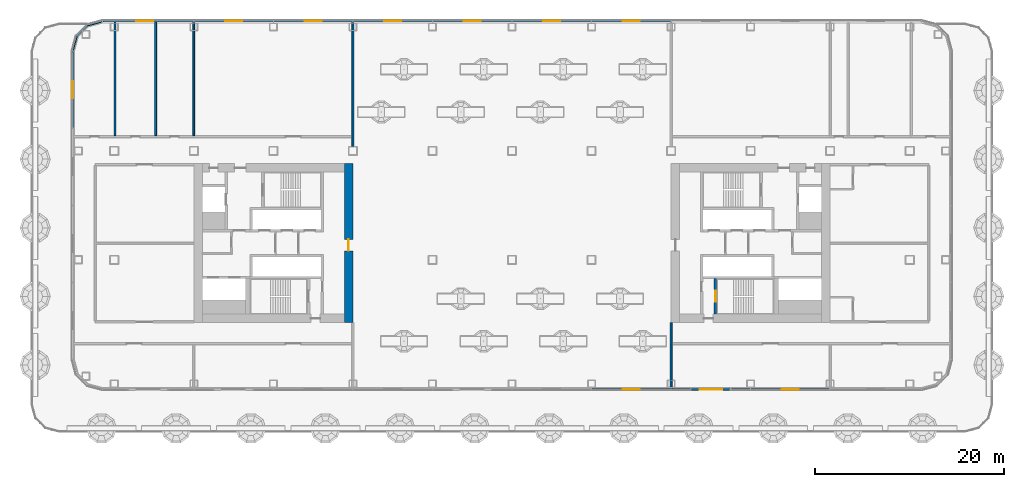
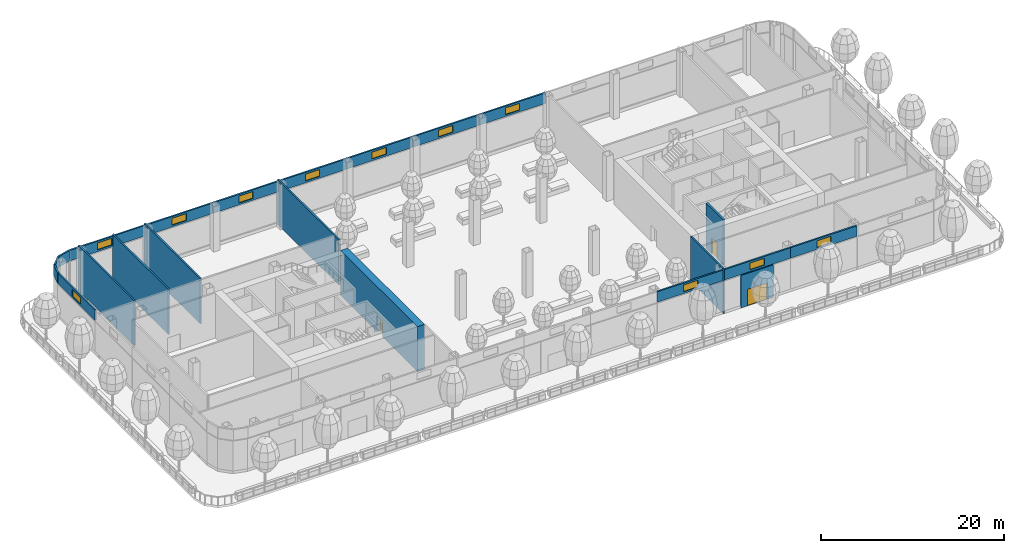
# One storey, part 14 of 44: 22 walls, 11 windows, 3 doors, 14 openings, 4 elements without a shape of their own.
"""IFC4 building model written with IfcOpenShell, lengths in metres."""

import ifcopenshell
import ifcopenshell.guid

model = None  # the IFC model being written
_history = None  # IfcOwnerHistory: only IFC2X3 demands one
_inside = {}  # id of a spatial element -> (the spatial element, [elements in it])
_under = {}  # id of a project, library or spatial element -> (it, [spatial elements below it])
_declared = {}  # id of a project -> (the project, [libraries it declares])
_typed = {}  # id of a type object -> (the type object, [elements of that type])
_made_of = {}  # id of a material, layer set ... -> (it, [elements and type objects made of it])


def new_model(schema):
    """Start an empty IFC model of exactly this schema.

    Asked for "IFC4X3", IfcOpenShell would pick the latest addendum, in which some entities
    have other attributes; the version numbers below select the first issue.
    IFC2X3 requires an IfcOwnerHistory on every rooted entity: one is made here for all.
    """
    global model, _history
    if schema == "IFC4X3":
        model = ifcopenshell.file(schema_version=(4, 3, 0, 0))
    else:
        model = ifcopenshell.file(schema=schema)
    _inside.clear()
    _under.clear()
    _declared.clear()
    _typed.clear()
    _made_of.clear()
    _history = None
    if model.schema == "IFC2X3":
        org = make("IfcOrganization", Name="unknown")
        user = make(
            "IfcPersonAndOrganization",
            ThePerson=make("IfcPerson", FamilyName="unknown"),
            TheOrganization=org,
        )
        app = make(
            "IfcApplication",
            ApplicationDeveloper=org,
            Version="unknown",
            ApplicationFullName="unknown",
            ApplicationIdentifier="unknown",
        )
        _history = make(
            "IfcOwnerHistory",
            OwningUser=user,
            OwningApplication=app,
            ChangeAction="ADDED",
            CreationDate=0,
        )
    return model


def make(cls, **values):
    """One entity of the class cls with the attributes given. An attribute that is None is left unset."""
    return model.create_entity(
        cls, **{name: value for name, value in values.items() if value is not None}
    )


def rooted(cls, **values):
    """An entity with a GlobalId (a new one), such as an element, a storey or a relation."""
    return make(cls, GlobalId=ifcopenshell.guid.new(), OwnerHistory=_history, **values)


def si_unit(unit_type, name, prefix=None):
    """IfcSIUnit, for example si_unit("LENGTHUNIT", "METRE", prefix="MILLI")."""
    return make("IfcSIUnit", UnitType=unit_type, Prefix=prefix, Name=name)


def assignment(units):
    """IfcUnitAssignment: the units of a project."""
    return None if units is None else make("IfcUnitAssignment", Units=units)


def point(xyz):
    """IfcCartesianPoint."""
    return None if xyz is None else make("IfcCartesianPoint", Coordinates=xyz)


def direction(xyz):
    """IfcDirection."""
    return None if xyz is None else make("IfcDirection", DirectionRatios=xyz)


def frame(location, z_axis=None, x_axis=None):
    """IfcAxis2Placement3D, a coordinate frame: its origin and axes. An axis left out is left unset."""
    return make(
        "IfcAxis2Placement3D",
        Location=point(location),
        Axis=direction(z_axis),
        RefDirection=direction(x_axis),
    )


def frame_2d(location, x_axis=None):
    """IfcAxis2Placement2D, a coordinate frame in the plane: its origin and x axis."""
    return make(
        "IfcAxis2Placement2D", Location=point(location), RefDirection=direction(x_axis)
    )


def origin():
    """The frame at (0, 0, 0) with its axes left unset."""
    return frame((0.0, 0.0, 0.0))


def place(relative_to, where):
    """IfcLocalPlacement: puts the frame where relative to a parent placement (None: the world)."""
    return make(
        "IfcLocalPlacement", PlacementRelTo=relative_to, RelativePlacement=where
    )


def context(
    kind, dimensions, precision=None, world=None, true_north=None, identifier=None
):
    """IfcGeometricRepresentationContext, for example the 3D "Model" context."""
    return make(
        "IfcGeometricRepresentationContext",
        ContextIdentifier=identifier,
        ContextType=kind,
        CoordinateSpaceDimension=dimensions,
        Precision=precision,
        WorldCoordinateSystem=world,
        TrueNorth=true_north,
    )


def subcontext(parent, identifier, kind, view, scale=None):
    """IfcGeometricRepresentationSubContext, for example "Body" below "Model"."""
    return make(
        "IfcGeometricRepresentationSubContext",
        ContextIdentifier=identifier,
        ContextType=kind,
        ParentContext=parent,
        TargetScale=scale,
        TargetView=view,
    )


def project(units=None, contexts=None):
    """IfcProject with its units and contexts."""
    return rooted(
        "IfcProject",
        Name="project",
        RepresentationContexts=contexts,
        UnitsInContext=assignment(units),
    )


def spatial(cls, under=None, at=None, **own):
    """A site, building, storey or space (cls), placed at a placement, below another one or the project."""
    s = rooted(cls, ObjectPlacement=at, **own)
    if under is not None:
        _under.setdefault(under.id(), (under, []))[1].append(s)
    return s


def profile(cls, at=None, kind="AREA", **sizes):
    """A parametric profile (cls). Its sizes go by their IFC names, for example OverallWidth=200.0."""
    return make(cls, ProfileType=kind, Position=at, **sizes)


def rectangle(**sizes):
    """IfcRectangleProfileDef."""
    return profile("IfcRectangleProfileDef", **sizes)


def extrude(swept, where, along, depth):
    """IfcExtrudedAreaSolid: the profile swept, set in the frame where, extruded along a direction by depth."""
    return make(
        "IfcExtrudedAreaSolid",
        SweptArea=swept,
        Position=where,
        ExtrudedDirection=direction(along),
        Depth=depth,
    )


def shape(context_of_items, identifier, shape_type, items):
    """IfcShapeRepresentation: the items that make up one representation, for example the "Body"."""
    return make(
        "IfcShapeRepresentation",
        ContextOfItems=context_of_items,
        RepresentationIdentifier=identifier,
        RepresentationType=shape_type,
        Items=items,
    )


def material(Name=None, Category=None):
    """IfcMaterial."""
    return make("IfcMaterial", Name=Name, Category=Category)


def layer(
    of_material, thickness, ventilated=None, Name=None, Category=None, Priority=None
):
    """IfcMaterialLayer: one layer of a wall or slab, of a material (None: an air gap)."""
    return make(
        "IfcMaterialLayer",
        Material=of_material,
        LayerThickness=thickness,
        IsVentilated=ventilated,
        Name=Name,
        Category=Category,
        Priority=Priority,
    )


def layer_set(layers, Name=None):
    """IfcMaterialLayerSet."""
    return make("IfcMaterialLayerSet", MaterialLayers=layers, LayerSetName=Name)


def made_of(thing, what):
    """Note that an element or type object is made of a material, layer set ...; save() writes the relation."""
    if what is not None:
        _made_of.setdefault(what.id(), (what, []))[1].append(thing)
    return thing


def type_object(cls, material=None, **own):
    """A type object (cls), such as IfcWallType, which elements share."""
    return made_of(rooted(cls, **own), material)


def element(
    cls,
    number,
    at=None,
    inside=None,
    cuts=None,
    type_object=None,
    material=None,
    context=None,
    identifier="Body",
    shape_type=None,
    held_by="IfcProductDefinitionShape",
    body=None,
    shapes=None,
    **own,
):
    """One element of the class cls, such as IfcWall. Its Tag is "e" and its number.

    at: its placement. inside: the storey or other place that contains it. cuts: it is an
    opening in that element (IfcRelVoidsElement). A single representation is given by context,
    identifier, shape_type and body (its items); several are given by shapes. held_by: the class
    of the entity that holds the representations. save() writes the other relations.
    """
    e = rooted(cls, Tag="e%d" % number, ObjectPlacement=at, **own)
    if body is not None:
        shapes = [shape(context, identifier, shape_type, body)]
    if shapes is not None:
        e.Representation = make(held_by, Representations=shapes)
    if inside is not None:
        _inside.setdefault(inside.id(), (inside, []))[1].append(e)
    if cuts is not None:
        rooted(
            "IfcRelVoidsElement", RelatingBuildingElement=cuts, RelatedOpeningElement=e
        )
    if type_object is not None:
        _typed.setdefault(type_object.id(), (type_object, []))[1].append(e)
    return made_of(e, material)


def fill(opening, filler):
    """IfcRelFillsElement: the door or window that sits in an opening."""
    return rooted(
        "IfcRelFillsElement",
        RelatingOpeningElement=opening,
        RelatedBuildingElement=filler,
    )


def aggregate(whole, parts):
    """IfcRelAggregates: a whole, such as a stair, and the parts it consists of."""
    return rooted("IfcRelAggregates", RelatingObject=whole, RelatedObjects=parts)


def save(model, path):
    """Write the relations noted so far, then the file.

    IfcRelAggregates (storeys below a building ...), IfcRelContainedInSpatialStructure (elements
    in a storey), IfcRelDefinesByType, IfcRelAssociatesMaterial and IfcRelDeclares: one each for
    every whole, place, type object, material and project.
    """
    for whole, parts in _under.values():
        aggregate(whole, parts)
    for where, things in _inside.values():
        rooted(
            "IfcRelContainedInSpatialStructure",
            RelatedElements=things,
            RelatingStructure=where,
        )
    for kind, things in _typed.values():
        rooted("IfcRelDefinesByType", RelatedObjects=things, RelatingType=kind)
    for what, things in _made_of.values():
        rooted("IfcRelAssociatesMaterial", RelatedObjects=things, RelatingMaterial=what)
    for by, libraries in _declared.values():
        rooted("IfcRelDeclares", RelatingContext=by, RelatedDefinitions=libraries)
    model.write(path)


model = new_model("IFC4")

# Units and contexts
model_context = context("Model", 3, precision=1e-05, world=origin(), true_north=direction((0.0, 1.0)))
body_context = subcontext(model_context, "Body", "Model", "MODEL_VIEW")
ifc_project = project(units=[si_unit("LENGTHUNIT", "METRE"), si_unit("AREAUNIT", "SQUARE_METRE"), si_unit("VOLUMEUNIT", "CUBIC_METRE"), si_unit("PLANEANGLEUNIT", "RADIAN"), si_unit("MASSUNIT", "GRAM", prefix="KILO")], contexts=[model_context])

# Site, building, storey
site_placement = place(None, origin())
site = spatial("IfcSite", under=ifc_project, at=site_placement, CompositionType="ELEMENT")
building_placement = place(site_placement, origin())
building = spatial("IfcBuilding", under=site, at=building_placement, Name="Hakoniwa Tower and Hamabe Station Hall", CompositionType="ELEMENT")
storey_placement = place(building_placement, frame((0.0, 0.0, 69.0)))
storey = spatial("IfcBuildingStorey", under=building, at=storey_placement, Name="L19", CompositionType="ELEMENT", Elevation=69.0)

# Wall, opening, door
ifc_material_1 = material(Name="Concrete C72", Category="concrete")
ifc_layer_1 = layer(ifc_material_1, 0.89990234375)
ifc_layer_set_1 = layer_set([ifc_layer_1], Name="CORE WALL 900 C72")
wall_type_1 = type_object("IfcWallType", Name="CORE WALL 900 C72", PredefinedType="SHEAR", material=ifc_layer_set_1)
wall_1_placement = place(storey_placement, frame((-17.25, -8.39990234375, 0.0), z_axis=(0.0, 0.0, 1.0), x_axis=(0.0, 1.0, 0.0)))
wall_1 = element("IfcWall", 1, at=wall_1_placement, inside=storey, type_object=wall_type_1, Name="Core wall INNER west", PredefinedType="SHEAR", context=body_context, shape_type="SweptSolid", body=[
    extrude(rectangle(XDim=16.7998046875, YDim=0.89990234375, at=frame_2d((8.39990234375, 0.0))), origin(), (0.0, 0.0, 1.0), 6.0),
])
opening_1_placement = place(wall_1_placement, frame((7.60009765625, 0.0, 0.0)))
opening_1 = element("IfcOpeningElement", 2, at=opening_1_placement, cuts=wall_1, Name="Opening CD-W-IN1-12", PredefinedType="OPENING", context=body_context, shape_type="SweptSolid", body=[
    extrude(rectangle(XDim=1.199951171875, YDim=2.10009765625, at=frame_2d((0.60009765625, 1.050048828125))), frame((0.0, 0.4599609375, 0.0), z_axis=(0.0, -1.0, 0.0), x_axis=(1.0, 0.0, 0.0)), (0.0, 0.0, 1.0), 0.919921875),
])
ifc_material_2 = material(Name="Steel fire door", Category="steel")
door_type_1 = type_object("IfcDoorType", Name="CORE DOOR 1200 FD60", OperationType="DOUBLE_DOOR_SINGLE_SWING", PredefinedType="DOOR", material=ifc_material_2)
door_1_placement = place(opening_1_placement, origin())
door_1 = element("IfcDoor", 3, at=door_1_placement, inside=storey, type_object=door_type_1, Name="Lift lobby door", OperationType="DOUBLE_DOOR_SINGLE_SWING", OverallHeight=2.10009765625, OverallWidth=1.199951171875, PredefinedType="DOOR", context=body_context, shape_type="SweptSolid", body=[
    extrude(rectangle(XDim=1.199951171875, YDim=2.10009765625, at=frame_2d((0.60009765625, 1.050048828125))), frame((0.0, 0.02490234375, 0.0), z_axis=(0.0, -1.0, 0.0), x_axis=(1.0, 0.0, 0.0)), (0.0, 0.0, 1.0), 0.050048828125),
])
fill(opening_1, door_1)

ifc_material_3 = material(Name="Concrete C72", Category="concrete")
ifc_layer_2 = layer(ifc_material_3, 0.25)
ifc_layer_set_2 = layer_set([ifc_layer_2], Name="CORE WEB WALL 250 C72")
wall_type_2 = type_object("IfcWallType", Name="CORE WEB WALL 250 C72", PredefinedType="SHEAR", material=ifc_layer_set_2)
wall_2_placement = place(storey_placement, frame((21.47509765625, -7.5, 0.0), z_axis=(0.0, 0.0, 1.0), x_axis=(0.0, 1.0, 0.0)))
wall_2 = element("IfcWall", 4, at=wall_2_placement, inside=storey, type_object=wall_type_2, Name="Core wall VE east", PredefinedType="SHEAR", context=body_context, shape_type="SweptSolid", body=[
    extrude(rectangle(XDim=3.75, YDim=0.25, at=frame_2d((1.875, 0.0))), origin(), (0.0, 0.0, 1.0), 6.0),
])
opening_2_placement = place(wall_2_placement, frame((1.300048828125, 0.0, 0.0)))
opening_2 = element("IfcOpeningElement", 5, at=opening_2_placement, cuts=wall_2, Name="Opening CD-E-SS-12", PredefinedType="OPENING", context=body_context, shape_type="SweptSolid", body=[
    extrude(rectangle(XDim=1.199951171875, YDim=2.10009765625, at=frame_2d((0.60009765625, 1.050048828125))), frame((0.0, 0.135009765625, 0.0), z_axis=(0.0, -1.0, 0.0), x_axis=(1.0, 0.0, 0.0)), (0.0, 0.0, 1.0), 0.27001953125),
])
door_2_placement = place(opening_2_placement, origin())
door_2 = element("IfcDoor", 6, at=door_2_placement, inside=storey, type_object=door_type_1, Name="Escape stair door", OperationType="DOUBLE_DOOR_SINGLE_SWING", OverallHeight=2.10009765625, OverallWidth=1.199951171875, PredefinedType="DOOR", context=body_context, shape_type="SweptSolid", body=[
    extrude(rectangle(XDim=1.199951171875, YDim=2.10009765625, at=frame_2d((0.60009765625, 1.050048828125))), frame((0.0, 0.02490234375, 0.0), z_axis=(0.0, -1.0, 0.0), x_axis=(1.0, 0.0, 0.0)), (0.0, 0.0, 1.0), 0.050048828125),
])
fill(opening_2, door_2)

# Curtain wall, wall, opening, door
ifc_material_4 = material(Name="Dark low-e laminated glass", Category="glass")
ifc_layer_3 = layer(ifc_material_4, 0.199951171875)
ifc_layer_set_3 = layer_set([ifc_layer_3], Name="CW-2 SKY GARDEN")
curtain_wall_type = type_object("IfcCurtainWallType", Name="CW-2 SKY GARDEN", PredefinedType="NOTDEFINED", material=ifc_layer_set_3)
curtain_wall_1_placement = place(storey_placement, origin())
curtain_wall_1 = element("IfcCurtainWall", 7, at=curtain_wall_1_placement, inside=storey, type_object=curtain_wall_type, Name="CW-2 curtain wall", PredefinedType="NOTDEFINED")
ifc_material_5 = material(Name="Dark glass-faced aluminium panel", Category="aluminium")
ifc_layer_4 = layer(ifc_material_5, 0.199951171875)
ifc_layer_set_4 = layer_set([ifc_layer_4], Name="DOOR BAY WALL")
wall_type_3 = type_object("IfcWallType", Name="DOOR BAY WALL", PredefinedType="NOTDEFINED", material=ifc_layer_set_4)
wall_3_placement = place(storey_placement, frame((18.929931640625, -15.449951171875, 0.0), z_axis=(0.0, 0.0, 1.0), x_axis=(1.0, 0.0, 0.0)))
wall_3 = element("IfcWall", 8, at=wall_3_placement, type_object=wall_type_3, Name="Door bay wall", PredefinedType="NOTDEFINED", context=body_context, shape_type="SweptSolid", body=[
    extrude(rectangle(XDim=4.14013671875, YDim=0.199951171875, at=frame_2d((2.070068359375, 0.0))), origin(), (0.0, 0.0, 1.0), 4.330078125),
])
opening_3_placement = place(wall_3_placement, frame((0.8701171875, 0.0, 0.0)))
opening_3 = element("IfcOpeningElement", 9, at=opening_3_placement, cuts=wall_3, Name="Opening TD-S07-T2", PredefinedType="OPENING", context=body_context, shape_type="SweptSolid", body=[
    extrude(rectangle(XDim=2.39990234375, YDim=2.199951171875, at=frame_2d((1.199951171875, 1.10009765625))), frame((0.0, 0.10986328125, 0.0), z_axis=(0.0, -1.0, 0.0), x_axis=(1.0, 0.0, 0.0)), (0.0, 0.0, 1.0), 0.219970703125),
])
ifc_material_6 = material(Name="Dark low-e laminated glass", Category="glass")
door_type_2 = type_object("IfcDoorType", Name="BALCONY SLIDING DOOR 2400X2200", OperationType="SLIDING_TO_LEFT", PredefinedType="DOOR", material=ifc_material_6)
door_3_placement = place(opening_3_placement, frame((2.39990234375, 0.0, 0.0), z_axis=(0.0, 0.0, 1.0), x_axis=(-1.0, 0.0, 0.0)))
door_3 = element("IfcDoor", 10, at=door_3_placement, inside=storey, type_object=door_type_2, Name="Balcony sliding door", OperationType="SLIDING_TO_LEFT", OverallHeight=2.199951171875, OverallWidth=2.39990234375, PredefinedType="DOOR", context=body_context, shape_type="SweptSolid", body=[
    extrude(rectangle(XDim=2.39990234375, YDim=2.199951171875, at=frame_2d((1.199951171875, 1.10009765625))), frame((0.0, 0.02490234375, 0.0), z_axis=(0.0, -1.0, 0.0), x_axis=(1.0, 0.0, 0.0)), (0.0, 0.0, 1.0), 0.050048828125),
])
fill(opening_3, door_3)

# Walls
ifc_material_7 = material(Name="Fire-rated gypsum board partition", Category="gypsum")
ifc_layer_5 = layer(ifc_material_7, 0.199951171875)
ifc_layer_set_5 = layer_set([ifc_layer_5], Name="Party Wall 200")
wall_type_4 = type_object("IfcWallType", Name="Party Wall 200", PredefinedType="PARTITIONING", material=ifc_layer_set_5)
for number, where, z_axis, x_axis, name in (
    (11, (-41.919921875, 11.35009765625, 0.0), (0.0, 0.0, 1.0), (0.0, 1.0, 0.0), "GW-L19-014"),
    (12, (-37.6298828125, 11.35009765625, 0.0), (0.0, 0.0, 1.0), (0.0, 1.0, 0.0), "GW-L19-015"),
    (13, (-33.60009765625, 11.35009765625, 0.0), (0.0, 0.0, 1.0), (0.0, 1.0, 0.0), "GW-L19-017"),
):
    element("IfcWall", number, at=place(storey_placement, frame(where, z_axis=z_axis, x_axis=x_axis)), inside=storey, type_object=wall_type_4, Name=name, PredefinedType="PARTITIONING", context=body_context, shape_type="SweptSolid", body=[
        extrude(rectangle(XDim=12.199951171875, YDim=0.199951171875, at=frame_2d((6.10009765625, 0.0))), origin(), (0.0, 0.0, 1.0), 6.0),
    ])
wall_4_placement = place(storey_placement, frame((-16.800048828125, 10.18994140625, 0.0), z_axis=(0.0, 0.0, 1.0), x_axis=(0.0, 1.0, 0.0)))
element("IfcWall", 14, at=wall_4_placement, inside=storey, type_object=wall_type_4, Name="GW-L19-019", PredefinedType="PARTITIONING", context=body_context, shape_type="SweptSolid", body=[
    extrude(rectangle(XDim=13.360107421875, YDim=0.199951171875, at=frame_2d((6.68017578125, 0.0))), origin(), (0.0, 0.0, 1.0), 6.0),
])
wall_5_placement = place(storey_placement, frame((16.800048828125, -15.550048828125, 0.0), z_axis=(0.0, 0.0, 1.0), x_axis=(0.0, 1.0, 0.0)))
element("IfcWall", 15, at=wall_5_placement, inside=storey, type_object=wall_type_4, Name="GW-L19-020", PredefinedType="PARTITIONING", context=body_context, shape_type="SweptSolid", body=[
    extrude(rectangle(XDim=7.16015625, YDim=0.199951171875, at=frame_2d((3.580078125, 0.0))), origin(), (0.0, 0.0, 1.0), 6.0),
])

# Curtain wall, walls, openings, windows
curtain_wall_2_placement = place(storey_placement, origin())
curtain_wall_2 = element("IfcCurtainWall", 16, at=curtain_wall_2_placement, inside=storey, type_object=curtain_wall_type, Name="CW-2 curtain wall", PredefinedType="NOTDEFINED")
ifc_material_8 = material(Name="Dark glass-faced aluminium panel", Category="aluminium")
ifc_layer_6 = layer(ifc_material_8, 0.199951171875)
ifc_layer_set_6 = layer_set([ifc_layer_6], Name="VENT BAND WALL")
wall_type_5 = type_object("IfcWallType", Name="VENT BAND WALL", PredefinedType="NOTDEFINED", material=ifc_layer_set_6)
wall_6_placement = place(storey_placement, frame((16.800048828125, 23.449951171875, 4.449951171875), z_axis=(0.0, 0.0, 1.0), x_axis=(-1.0, 0.0, 0.0)))
wall_6 = element("IfcWall", 17, at=wall_6_placement, type_object=wall_type_5, Name="Vent band wall", PredefinedType="NOTDEFINED", context=body_context, shape_type="SweptSolid", body=[
    extrude(rectangle(XDim=8.400146484375, YDim=0.199951171875, at=frame_2d((4.2001953125, 0.0))), origin(), (0.0, 0.0, 1.0), 1.400146484375),
])
opening_4_placement = place(wall_6_placement, frame((3.300048828125, 0.0, 0.25)))
opening_4 = element("IfcOpeningElement", 18, at=opening_4_placement, cuts=wall_6, Name="Opening VW-1", PredefinedType="OPENING", context=body_context, shape_type="SweptSolid", body=[
    extrude(rectangle(XDim=1.800048828125, YDim=0.89990234375, at=frame_2d((0.89990234375, 0.449951171875))), frame((0.0, 0.10986328125, 0.0), z_axis=(0.0, -1.0, 0.0), x_axis=(1.0, 0.0, 0.0)), (0.0, 0.0, 1.0), 0.219970703125),
])
ifc_material_9 = material(Name="Dark low-e laminated glass", Category="glass")
window_type = type_object("IfcWindowType", Name="VENT WINDOW 1800X900", PartitioningType="SINGLE_PANEL", PredefinedType="WINDOW", material=ifc_material_9)
window_1_placement = place(opening_4_placement, origin())
window_1 = element("IfcWindow", 19, at=window_1_placement, inside=storey, type_object=window_type, Name="Vent window", OverallHeight=0.89990234375, OverallWidth=1.800048828125, PartitioningType="SINGLE_PANEL", PredefinedType="WINDOW", context=body_context, shape_type="SweptSolid", body=[
    extrude(rectangle(XDim=1.800048828125, YDim=0.89990234375, at=frame_2d((0.89990234375, 0.449951171875))), frame((0.0, 0.030029296875, 0.0), z_axis=(0.0, -1.0, 0.0), x_axis=(1.0, 0.0, 0.0)), (0.0, 0.0, 1.0), 0.06005859375),
])
fill(opening_4, window_1)
wall_7_placement = place(storey_placement, frame((8.39990234375, 23.449951171875, 4.449951171875), z_axis=(0.0, 0.0, 1.0), x_axis=(-1.0, 0.0, 0.0)))
wall_7 = element("IfcWall", 20, at=wall_7_placement, type_object=wall_type_5, Name="Vent band wall", PredefinedType="NOTDEFINED", context=body_context, shape_type="SweptSolid", body=[
    extrude(rectangle(XDim=8.39990234375, YDim=0.199951171875, at=frame_2d((4.199951171875, 0.0))), origin(), (0.0, 0.0, 1.0), 1.400146484375),
])
opening_5_placement = place(wall_7_placement, frame((3.300048828125, 0.0, 0.25)))
opening_5 = element("IfcOpeningElement", 21, at=opening_5_placement, cuts=wall_7, Name="Opening VW-1", PredefinedType="OPENING", context=body_context, shape_type="SweptSolid", body=[
    extrude(rectangle(XDim=1.800048828125, YDim=0.89990234375, at=frame_2d((0.89990234375, 0.449951171875))), frame((0.0, 0.10986328125, 0.0), z_axis=(0.0, -1.0, 0.0), x_axis=(1.0, 0.0, 0.0)), (0.0, 0.0, 1.0), 0.219970703125),
])
window_2_placement = place(opening_5_placement, origin())
window_2 = element("IfcWindow", 22, at=window_2_placement, inside=storey, type_object=window_type, Name="Vent window", OverallHeight=0.89990234375, OverallWidth=1.800048828125, PartitioningType="SINGLE_PANEL", PredefinedType="WINDOW", context=body_context, shape_type="SweptSolid", body=[
    extrude(rectangle(XDim=1.800048828125, YDim=0.89990234375, at=frame_2d((0.89990234375, 0.449951171875))), frame((0.0, 0.030029296875, 0.0), z_axis=(0.0, -1.0, 0.0), x_axis=(1.0, 0.0, 0.0)), (0.0, 0.0, 1.0), 0.06005859375),
])
fill(opening_5, window_2)
wall_8_placement = place(storey_placement, frame((0.0, 23.449951171875, 4.449951171875), z_axis=(0.0, 0.0, 1.0), x_axis=(-1.0, 0.0, 0.0)))
wall_8 = element("IfcWall", 23, at=wall_8_placement, type_object=wall_type_5, Name="Vent band wall", PredefinedType="NOTDEFINED", context=body_context, shape_type="SweptSolid", body=[
    extrude(rectangle(XDim=8.39990234375, YDim=0.199951171875, at=frame_2d((4.199951171875, 0.0))), origin(), (0.0, 0.0, 1.0), 1.400146484375),
])
opening_6_placement = place(wall_8_placement, frame((3.300048828125, 0.0, 0.25)))
opening_6 = element("IfcOpeningElement", 24, at=opening_6_placement, cuts=wall_8, Name="Opening VW-1", PredefinedType="OPENING", context=body_context, shape_type="SweptSolid", body=[
    extrude(rectangle(XDim=1.800048828125, YDim=0.89990234375, at=frame_2d((0.89990234375, 0.449951171875))), frame((0.0, 0.10986328125, 0.0), z_axis=(0.0, -1.0, 0.0), x_axis=(1.0, 0.0, 0.0)), (0.0, 0.0, 1.0), 0.219970703125),
])
window_3_placement = place(opening_6_placement, origin())
window_3 = element("IfcWindow", 25, at=window_3_placement, inside=storey, type_object=window_type, Name="Vent window", OverallHeight=0.89990234375, OverallWidth=1.800048828125, PartitioningType="SINGLE_PANEL", PredefinedType="WINDOW", context=body_context, shape_type="SweptSolid", body=[
    extrude(rectangle(XDim=1.800048828125, YDim=0.89990234375, at=frame_2d((0.89990234375, 0.449951171875))), frame((0.0, 0.030029296875, 0.0), z_axis=(0.0, -1.0, 0.0), x_axis=(1.0, 0.0, 0.0)), (0.0, 0.0, 1.0), 0.06005859375),
])
fill(opening_6, window_3)
wall_9_placement = place(storey_placement, frame((-8.39990234375, 23.449951171875, 4.449951171875), z_axis=(0.0, 0.0, 1.0), x_axis=(-1.0, 0.0, 0.0)))
wall_9 = element("IfcWall", 26, at=wall_9_placement, type_object=wall_type_5, Name="Vent band wall", PredefinedType="NOTDEFINED", context=body_context, shape_type="SweptSolid", body=[
    extrude(rectangle(XDim=8.400146484375, YDim=0.199951171875, at=frame_2d((4.2001953125, 0.0))), origin(), (0.0, 0.0, 1.0), 1.400146484375),
])
opening_7_placement = place(wall_9_placement, frame((3.300048828125, 0.0, 0.25)))
opening_7 = element("IfcOpeningElement", 27, at=opening_7_placement, cuts=wall_9, Name="Opening VW-1", PredefinedType="OPENING", context=body_context, shape_type="SweptSolid", body=[
    extrude(rectangle(XDim=1.800048828125, YDim=0.89990234375, at=frame_2d((0.89990234375, 0.449951171875))), frame((0.0, 0.10986328125, 0.0), z_axis=(0.0, -1.0, 0.0), x_axis=(1.0, 0.0, 0.0)), (0.0, 0.0, 1.0), 0.219970703125),
])
window_4_placement = place(opening_7_placement, origin())
window_4 = element("IfcWindow", 28, at=window_4_placement, inside=storey, type_object=window_type, Name="Vent window", OverallHeight=0.89990234375, OverallWidth=1.800048828125, PartitioningType="SINGLE_PANEL", PredefinedType="WINDOW", context=body_context, shape_type="SweptSolid", body=[
    extrude(rectangle(XDim=1.800048828125, YDim=0.89990234375, at=frame_2d((0.89990234375, 0.449951171875))), frame((0.0, 0.030029296875, 0.0), z_axis=(0.0, -1.0, 0.0), x_axis=(1.0, 0.0, 0.0)), (0.0, 0.0, 1.0), 0.06005859375),
])
fill(opening_7, window_4)
wall_10_placement = place(storey_placement, frame((-16.800048828125, 23.449951171875, 4.449951171875), z_axis=(0.0, 0.0, 1.0), x_axis=(-1.0, 0.0, 0.0)))
wall_10 = element("IfcWall", 29, at=wall_10_placement, type_object=wall_type_5, Name="Vent band wall", PredefinedType="NOTDEFINED", context=body_context, shape_type="SweptSolid", body=[
    extrude(rectangle(XDim=8.39990234375, YDim=0.199951171875, at=frame_2d((4.199951171875, 0.0))), origin(), (0.0, 0.0, 1.0), 1.400146484375),
])
opening_8_placement = place(wall_10_placement, frame((3.300048828125, 0.0, 0.25)))
opening_8 = element("IfcOpeningElement", 30, at=opening_8_placement, cuts=wall_10, Name="Opening VW-1", PredefinedType="OPENING", context=body_context, shape_type="SweptSolid", body=[
    extrude(rectangle(XDim=1.800048828125, YDim=0.89990234375, at=frame_2d((0.89990234375, 0.449951171875))), frame((0.0, 0.10986328125, 0.0), z_axis=(0.0, -1.0, 0.0), x_axis=(1.0, 0.0, 0.0)), (0.0, 0.0, 1.0), 0.219970703125),
])
window_5_placement = place(opening_8_placement, origin())
window_5 = element("IfcWindow", 31, at=window_5_placement, inside=storey, type_object=window_type, Name="Vent window", OverallHeight=0.89990234375, OverallWidth=1.800048828125, PartitioningType="SINGLE_PANEL", PredefinedType="WINDOW", context=body_context, shape_type="SweptSolid", body=[
    extrude(rectangle(XDim=1.800048828125, YDim=0.89990234375, at=frame_2d((0.89990234375, 0.449951171875))), frame((0.0, 0.030029296875, 0.0), z_axis=(0.0, -1.0, 0.0), x_axis=(1.0, 0.0, 0.0)), (0.0, 0.0, 1.0), 0.06005859375),
])
fill(opening_8, window_5)
wall_11_placement = place(storey_placement, frame((-25.199951171875, 23.449951171875, 4.449951171875), z_axis=(0.0, 0.0, 1.0), x_axis=(-1.0, 0.0, 0.0)))
wall_11 = element("IfcWall", 32, at=wall_11_placement, type_object=wall_type_5, Name="Vent band wall", PredefinedType="NOTDEFINED", context=body_context, shape_type="SweptSolid", body=[
    extrude(rectangle(XDim=8.400146484375, YDim=0.199951171875, at=frame_2d((4.2001953125, 0.0))), origin(), (0.0, 0.0, 1.0), 1.400146484375),
])
opening_9_placement = place(wall_11_placement, frame((3.300048828125, 0.0, 0.25)))
opening_9 = element("IfcOpeningElement", 33, at=opening_9_placement, cuts=wall_11, Name="Opening VW-1", PredefinedType="OPENING", context=body_context, shape_type="SweptSolid", body=[
    extrude(rectangle(XDim=1.800048828125, YDim=0.89990234375, at=frame_2d((0.89990234375, 0.449951171875))), frame((0.0, 0.10986328125, 0.0), z_axis=(0.0, -1.0, 0.0), x_axis=(1.0, 0.0, 0.0)), (0.0, 0.0, 1.0), 0.219970703125),
])
window_6_placement = place(opening_9_placement, origin())
window_6 = element("IfcWindow", 34, at=window_6_placement, inside=storey, type_object=window_type, Name="Vent window", OverallHeight=0.89990234375, OverallWidth=1.800048828125, PartitioningType="SINGLE_PANEL", PredefinedType="WINDOW", context=body_context, shape_type="SweptSolid", body=[
    extrude(rectangle(XDim=1.800048828125, YDim=0.89990234375, at=frame_2d((0.89990234375, 0.449951171875))), frame((0.0, 0.030029296875, 0.0), z_axis=(0.0, -1.0, 0.0), x_axis=(1.0, 0.0, 0.0)), (0.0, 0.0, 1.0), 0.06005859375),
])
fill(opening_9, window_6)
wall_12_placement = place(storey_placement, frame((-33.60009765625, 23.449951171875, 4.449951171875), z_axis=(0.0, 0.0, 1.0), x_axis=(-1.0, 0.0, 0.0)))
wall_12 = element("IfcWall", 35, at=wall_12_placement, type_object=wall_type_5, Name="Vent band wall", PredefinedType="NOTDEFINED", context=body_context, shape_type="SweptSolid", body=[
    extrude(rectangle(XDim=9.609375, YDim=0.199951171875, at=frame_2d((4.8046875, 0.0))), origin(), (0.0, 0.0, 1.0), 1.400146484375),
])
opening_10_placement = place(wall_12_placement, frame((4.280029296875, 0.0, 0.25)))
opening_10 = element("IfcOpeningElement", 36, at=opening_10_placement, cuts=wall_12, Name="Opening VW-1", PredefinedType="OPENING", context=body_context, shape_type="SweptSolid", body=[
    extrude(rectangle(XDim=1.800048828125, YDim=0.89990234375, at=frame_2d((0.89990234375, 0.449951171875))), frame((0.0, 0.10986328125, 0.0), z_axis=(0.0, -1.0, 0.0), x_axis=(1.0, 0.0, 0.0)), (0.0, 0.0, 1.0), 0.219970703125),
])
window_7_placement = place(opening_10_placement, origin())
window_7 = element("IfcWindow", 37, at=window_7_placement, inside=storey, type_object=window_type, Name="Vent window", OverallHeight=0.89990234375, OverallWidth=1.800048828125, PartitioningType="SINGLE_PANEL", PredefinedType="WINDOW", context=body_context, shape_type="SweptSolid", body=[
    extrude(rectangle(XDim=1.800048828125, YDim=0.89990234375, at=frame_2d((0.89990234375, 0.449951171875))), frame((0.0, 0.030029296875, 0.0), z_axis=(0.0, -1.0, 0.0), x_axis=(1.0, 0.0, 0.0)), (0.0, 0.0, 1.0), 0.06005859375),
])
fill(opening_10, window_7)
aggregate(curtain_wall_2, [wall_6, wall_7, wall_8, wall_9, wall_10, wall_11, wall_12])

# Curtain wall, walls
curtain_wall_3_placement = place(storey_placement, origin())
curtain_wall_3 = element("IfcCurtainWall", 38, at=curtain_wall_3_placement, inside=storey, type_object=curtain_wall_type, Name="CW-2 curtain wall", PredefinedType="NOTDEFINED")
wall_13_placement = place(storey_placement, frame((-43.24267578125, 23.445556640625, 4.449951171875), z_axis=(0.0, 0.0, 1.0), x_axis=(-0.965940754539, -0.258763325689, 0.0)))
wall_13 = element("IfcWall", 39, at=wall_13_placement, type_object=wall_type_5, Name="Vent band wall", PredefinedType="NOTDEFINED", context=body_context, shape_type="SweptSolid", body=[
    extrude(rectangle(XDim=1.642578125, YDim=0.199951171875, at=frame_2d((0.8212890625, 0.0))), origin(), (0.0, 0.0, 1.0), 1.400146484375),
])
wall_14_placement = place(storey_placement, frame((-44.829345703125, 23.0205078125, 4.449951171875), z_axis=(0.0, 0.0, 1.0), x_axis=(-0.707106781187, -0.707106781187, 0.0)))
wall_14 = element("IfcWall", 40, at=wall_14_placement, type_object=wall_type_5, Name="Vent band wall", PredefinedType="NOTDEFINED", context=body_context, shape_type="SweptSolid", body=[
    extrude(rectangle(XDim=1.7138671875, YDim=0.199951171875, at=frame_2d((0.85693359375, 0.0))), origin(), (0.0, 0.0, 1.0), 1.400146484375),
])
wall_15_placement = place(storey_placement, frame((-45.996337890625, 21.83447265625, 4.449951171875), z_axis=(0.0, 0.0, 1.0), x_axis=(-0.258901994846, -0.965903596155, 0.0)))
wall_15 = element("IfcWall", 41, at=wall_15_placement, type_object=wall_type_5, Name="Vent band wall", PredefinedType="NOTDEFINED", context=body_context, shape_type="SweptSolid", body=[
    extrude(rectangle(XDim=1.642578125, YDim=0.199951171875, at=frame_2d((0.8212890625, 0.0))), origin(), (0.0, 0.0, 1.0), 1.400146484375),
])
aggregate(curtain_wall_3, [wall_13, wall_14, wall_15])

# Curtain wall, wall, opening, window
curtain_wall_4_placement = place(storey_placement, origin())
curtain_wall_4 = element("IfcCurtainWall", 42, at=curtain_wall_4_placement, inside=storey, type_object=curtain_wall_type, Name="CW-2 curtain wall", PredefinedType="NOTDEFINED")
wall_16_placement = place(storey_placement, frame((-46.39990234375, 20.259521484375, 4.449951171875), z_axis=(0.0, 0.0, 1.0), x_axis=(0.0, -1.0, 0.0)))
wall_16 = element("IfcWall", 43, at=wall_16_placement, type_object=wall_type_5, Name="Vent band wall", PredefinedType="NOTDEFINED", context=body_context, shape_type="SweptSolid", body=[
    extrude(rectangle(XDim=8.11474609375, YDim=0.199951171875, at=frame_2d((4.057373046875, 0.0))), origin(), (0.0, 0.0, 1.0), 1.400146484375),
])
opening_11_placement = place(wall_16_placement, frame((3.157470703125, 0.0, 0.25)))
opening_11 = element("IfcOpeningElement", 44, at=opening_11_placement, cuts=wall_16, Name="Opening VW-1", PredefinedType="OPENING", context=body_context, shape_type="SweptSolid", body=[
    extrude(rectangle(XDim=1.800048828125, YDim=0.89990234375, at=frame_2d((0.89990234375, 0.449951171875))), frame((0.0, 0.10986328125, 0.0), z_axis=(0.0, -1.0, 0.0), x_axis=(1.0, 0.0, 0.0)), (0.0, 0.0, 1.0), 0.219970703125),
])
window_8_placement = place(opening_11_placement, origin())
window_8 = element("IfcWindow", 45, at=window_8_placement, inside=storey, type_object=window_type, Name="Vent window", OverallHeight=0.89990234375, OverallWidth=1.800048828125, PartitioningType="SINGLE_PANEL", PredefinedType="WINDOW", context=body_context, shape_type="SweptSolid", body=[
    extrude(rectangle(XDim=1.800048828125, YDim=0.89990234375, at=frame_2d((0.89990234375, 0.449951171875))), frame((0.0, 0.030029296875, 0.0), z_axis=(0.0, -1.0, 0.0), x_axis=(1.0, 0.0, 0.0)), (0.0, 0.0, 1.0), 0.06005859375),
])
fill(opening_11, window_8)
aggregate(curtain_wall_4, [wall_16])

# Wall, opening, window
wall_17_placement = place(storey_placement, frame((8.39990234375, -15.449951171875, 4.449951171875), z_axis=(0.0, 0.0, 1.0), x_axis=(1.0, 0.0, 0.0)))
wall_17 = element("IfcWall", 46, at=wall_17_placement, type_object=wall_type_5, Name="Vent band wall", PredefinedType="NOTDEFINED", context=body_context, shape_type="SweptSolid", body=[
    extrude(rectangle(XDim=8.400146484375, YDim=0.199951171875, at=frame_2d((4.2001953125, 0.0))), origin(), (0.0, 0.0, 1.0), 1.400146484375),
])
opening_12_placement = place(wall_17_placement, frame((3.300048828125, 0.0, 0.25)))
opening_12 = element("IfcOpeningElement", 47, at=opening_12_placement, cuts=wall_17, Name="Opening VW-1", PredefinedType="OPENING", context=body_context, shape_type="SweptSolid", body=[
    extrude(rectangle(XDim=1.800048828125, YDim=0.89990234375, at=frame_2d((0.89990234375, 0.449951171875))), frame((0.0, 0.10986328125, 0.0), z_axis=(0.0, -1.0, 0.0), x_axis=(1.0, 0.0, 0.0)), (0.0, 0.0, 1.0), 0.219970703125),
])
window_9_placement = place(opening_12_placement, origin())
window_9 = element("IfcWindow", 48, at=window_9_placement, inside=storey, type_object=window_type, Name="Vent window", OverallHeight=0.89990234375, OverallWidth=1.800048828125, PartitioningType="SINGLE_PANEL", PredefinedType="WINDOW", context=body_context, shape_type="SweptSolid", body=[
    extrude(rectangle(XDim=1.800048828125, YDim=0.89990234375, at=frame_2d((0.89990234375, 0.449951171875))), frame((0.0, 0.030029296875, 0.0), z_axis=(0.0, -1.0, 0.0), x_axis=(1.0, 0.0, 0.0)), (0.0, 0.0, 1.0), 0.06005859375),
])
fill(opening_12, window_9)

wall_18_placement = place(storey_placement, frame((16.800048828125, -15.449951171875, 4.449951171875), z_axis=(0.0, 0.0, 1.0), x_axis=(1.0, 0.0, 0.0)))
wall_18 = element("IfcWall", 49, at=wall_18_placement, type_object=wall_type_5, Name="Vent band wall", PredefinedType="NOTDEFINED", context=body_context, shape_type="SweptSolid", body=[
    extrude(rectangle(XDim=8.39990234375, YDim=0.199951171875, at=frame_2d((4.199951171875, 0.0))), origin(), (0.0, 0.0, 1.0), 1.400146484375),
])
opening_13_placement = place(wall_18_placement, frame((3.300048828125, 0.0, 0.25)))
opening_13 = element("IfcOpeningElement", 50, at=opening_13_placement, cuts=wall_18, Name="Opening VW-1", PredefinedType="OPENING", context=body_context, shape_type="SweptSolid", body=[
    extrude(rectangle(XDim=1.800048828125, YDim=0.89990234375, at=frame_2d((0.89990234375, 0.449951171875))), frame((0.0, 0.10986328125, 0.0), z_axis=(0.0, -1.0, 0.0), x_axis=(1.0, 0.0, 0.0)), (0.0, 0.0, 1.0), 0.219970703125),
])
window_10_placement = place(opening_13_placement, origin())
window_10 = element("IfcWindow", 51, at=window_10_placement, inside=storey, type_object=window_type, Name="Vent window", OverallHeight=0.89990234375, OverallWidth=1.800048828125, PartitioningType="SINGLE_PANEL", PredefinedType="WINDOW", context=body_context, shape_type="SweptSolid", body=[
    extrude(rectangle(XDim=1.800048828125, YDim=0.89990234375, at=frame_2d((0.89990234375, 0.449951171875))), frame((0.0, 0.030029296875, 0.0), z_axis=(0.0, -1.0, 0.0), x_axis=(1.0, 0.0, 0.0)), (0.0, 0.0, 1.0), 0.06005859375),
])
fill(opening_13, window_10)

wall_19_placement = place(storey_placement, frame((25.199951171875, -15.449951171875, 4.449951171875), z_axis=(0.0, 0.0, 1.0), x_axis=(1.0, 0.0, 0.0)))
wall_19 = element("IfcWall", 52, at=wall_19_placement, type_object=wall_type_5, Name="Vent band wall", PredefinedType="NOTDEFINED", context=body_context, shape_type="SweptSolid", body=[
    extrude(rectangle(XDim=8.400146484375, YDim=0.199951171875, at=frame_2d((4.2001953125, 0.0))), origin(), (0.0, 0.0, 1.0), 1.400146484375),
])
opening_14_placement = place(wall_19_placement, frame((3.300048828125, 0.0, 0.25)))
opening_14 = element("IfcOpeningElement", 53, at=opening_14_placement, cuts=wall_19, Name="Opening VW-1", PredefinedType="OPENING", context=body_context, shape_type="SweptSolid", body=[
    extrude(rectangle(XDim=1.800048828125, YDim=0.89990234375, at=frame_2d((0.89990234375, 0.449951171875))), frame((0.0, 0.10986328125, 0.0), z_axis=(0.0, -1.0, 0.0), x_axis=(1.0, 0.0, 0.0)), (0.0, 0.0, 1.0), 0.219970703125),
])
window_11_placement = place(opening_14_placement, origin())
window_11 = element("IfcWindow", 54, at=window_11_placement, inside=storey, type_object=window_type, Name="Vent window", OverallHeight=0.89990234375, OverallWidth=1.800048828125, PartitioningType="SINGLE_PANEL", PredefinedType="WINDOW", context=body_context, shape_type="SweptSolid", body=[
    extrude(rectangle(XDim=1.800048828125, YDim=0.89990234375, at=frame_2d((0.89990234375, 0.449951171875))), frame((0.0, 0.030029296875, 0.0), z_axis=(0.0, -1.0, 0.0), x_axis=(1.0, 0.0, 0.0)), (0.0, 0.0, 1.0), 0.06005859375),
])
fill(opening_14, window_11)

aggregate(curtain_wall_1, [wall_17, wall_18, wall_19, wall_3])

save(model, "model.ifc")
